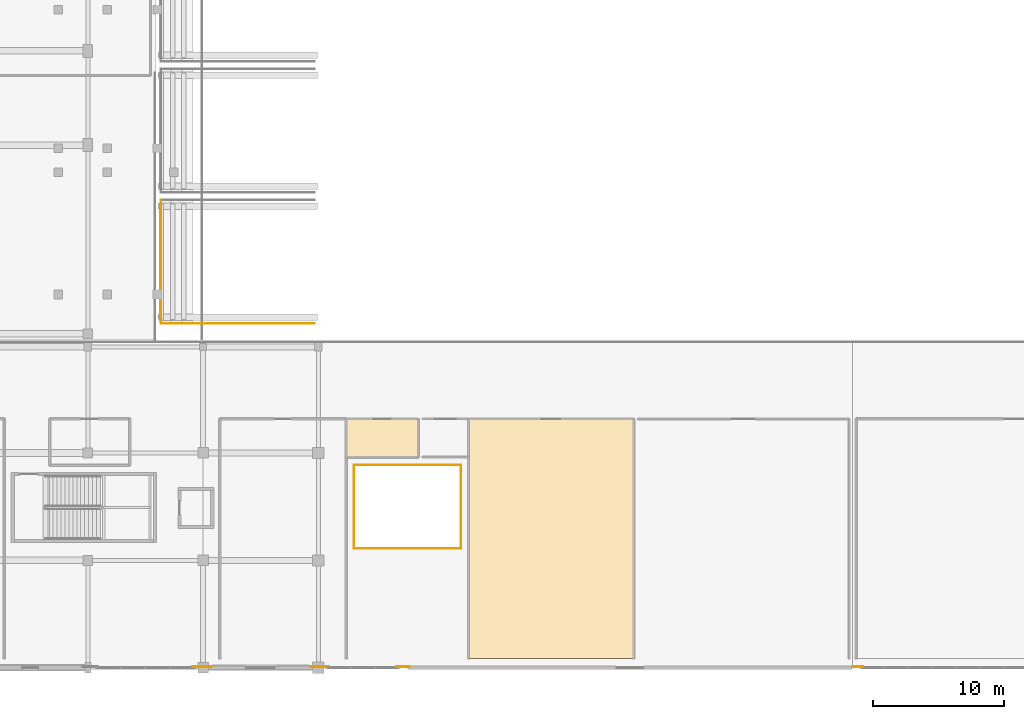
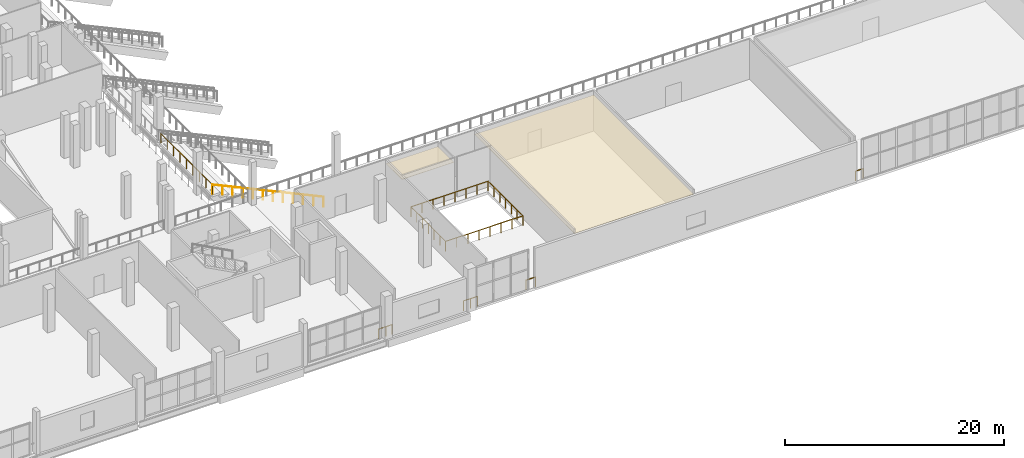
# One storey, part 100 of 129: 11 railings, 2 coverings.
"""IFC4 building model written with IfcOpenShell, lengths in metres."""

from ifc_helpers import new_model, si_unit, direction, frame, origin, origin_2d, place, context, subcontext, project, spatial, polyline, circle, outline, extrude, material, layer, layer_set, type_object, element, save


model = new_model("IFC4")

# Units and contexts
model_context = context("Model", 3, precision=1e-05, world=origin(), true_north=direction((0.0, 1.0)))
body_context = subcontext(model_context, "Body", "Model", "MODEL_VIEW")
ifc_project = project(units=[si_unit("LENGTHUNIT", "METRE"), si_unit("AREAUNIT", "SQUARE_METRE"), si_unit("VOLUMEUNIT", "CUBIC_METRE"), si_unit("PLANEANGLEUNIT", "RADIAN"), si_unit("MASSUNIT", "GRAM", prefix="KILO")], contexts=[model_context])

# Site, building, storey
site_placement = place(None, origin())
site = spatial("IfcSite", under=ifc_project, at=site_placement, CompositionType="ELEMENT")
building_placement = place(site_placement, origin())
building = spatial("IfcBuilding", under=site, at=building_placement, Name="Koshinbarg Plaza Stadium", CompositionType="ELEMENT")
storey_placement = place(building_placement, frame((0.0, 0.0, 5.39990234375)))
storey = spatial("IfcBuildingStorey", under=building, at=storey_placement, Name="L01", CompositionType="ELEMENT", Elevation=5.39990234375)

# Coverings
ifc_material_1 = material(Name="Perforated gypsum acoustic ceiling board")
ifc_layer = layer(ifc_material_1, 0.030029296875)
ifc_layer_set = layer_set([ifc_layer], Name="Perforated gypsum acoustic ceiling board")
covering_type = type_object("IfcCoveringType", Name="COV-CEIL-01", PredefinedType="CEILING", material=ifc_layer_set)
covering_1_placement = place(storey_placement, frame((0.0, 0.0, 3.9501953125)))
element("IfcCovering", 1, at=covering_1_placement, inside=storey, type_object=covering_type, Name="L01 Television Interview Studio acoustic ceiling 013", PredefinedType="CEILING", context=body_context, shape_type="SweptSolid", body=[
    extrude(outline(polyline([(83.320068359375, 16.080078125), (88.8232421875, 16.080078125), (88.8232421875, 19.0), (83.320068359375, 19.0), (83.320068359375, 16.080078125)])), origin(), (0.0, 0.0, 1.0), 0.02978515625),
])
covering_2_placement = place(storey_placement, frame((0.0, 0.0, 3.9501953125)))
element("IfcCovering", 2, at=covering_2_placement, inside=storey, type_object=covering_type, Name="L01 Television Interview Studio acoustic ceiling 014", PredefinedType="CEILING", context=body_context, shape_type="SweptSolid", body=[
    extrude(outline(polyline([(92.679931640625, 0.699951171875), (105.276611328125, 0.699951171875), (105.276611328125, 19.0), (92.679931640625, 19.0), (92.679931640625, 0.699951171875)])), origin(), (0.0, 0.0, 1.0), 0.02978515625),
])

# Railings
ifc_material_2 = material(Name="Toughened laminated glass and stainless steel sightline balustrade", Category="steel")
railing_type_1 = type_object("IfcRailingType", Name="RL-BOWL-1100", PredefinedType="BALUSTRADE", material=ifc_material_2)
railing_1_placement = place(storey_placement, frame((83.919921875, 9.1201171875, 0.0)))
element("IfcRailing", 3, at=railing_1_placement, inside=storey, type_object=railing_type_1, Name="L01 atrium light-well balustrade 0039", PredefinedType="BALUSTRADE", context=body_context, shape_type="SweptSolid", body=[
    extrude(circle(Radius=0.02392578125, at=origin_2d()), frame((0.0, 0.0, 1.076171875), z_axis=(1.0, 0.0, 0.0), x_axis=(0.0, 1.0, 0.0)), (0.0, 0.0, 1.0), 8.16015625),
    extrude(circle(Radius=0.02099609375, at=origin_2d()), origin(), (0.0, 0.0, 1.0), 1.052001953125),
    extrude(circle(Radius=0.02099609375, at=origin_2d()), frame((1.165771484375, 0.0, 0.0)), (0.0, 0.0, 1.0), 1.052001953125),
    extrude(circle(Radius=0.02099609375, at=origin_2d()), frame((2.33154296875, 0.0, 0.0)), (0.0, 0.0, 1.0), 1.052001953125),
    extrude(circle(Radius=0.02099609375, at=origin_2d()), frame((3.497314453125, 0.0, 0.0)), (0.0, 0.0, 1.0), 1.052001953125),
    extrude(circle(Radius=0.02099609375, at=origin_2d()), frame((4.662841796875, 0.0, 0.0)), (0.0, 0.0, 1.0), 1.052001953125),
    extrude(circle(Radius=0.02099609375, at=origin_2d()), frame((5.82861328125, 0.0, 0.0)), (0.0, 0.0, 1.0), 1.052001953125),
    extrude(circle(Radius=0.02099609375, at=origin_2d()), frame((6.994384765625, 0.0, 0.0)), (0.0, 0.0, 1.0), 1.052001953125),
    extrude(circle(Radius=0.02099609375, at=origin_2d()), frame((8.16015625, 0.0, 0.0)), (0.0, 0.0, 1.0), 1.052001953125),
])
railing_2_placement = place(storey_placement, frame((92.080078125, 9.1201171875, 0.0)))
element("IfcRailing", 4, at=railing_2_placement, inside=storey, type_object=railing_type_1, Name="L01 atrium light-well balustrade 0040", PredefinedType="BALUSTRADE", context=body_context, shape_type="SweptSolid", body=[
    extrude(circle(Radius=0.02392578125, at=origin_2d()), frame((0.0, 0.0, 1.076171875), z_axis=(0.0, 1.0, 0.0), x_axis=(-1.0, 0.0, 0.0)), (0.0, 0.0, 1.0), 6.35986328125),
    extrude(circle(Radius=0.02099609375, at=origin_2d()), origin(), (0.0, 0.0, 1.0), 1.052001953125),
    extrude(circle(Radius=0.02099609375, at=origin_2d()), frame((0.0, 1.06005859375, 0.0)), (0.0, 0.0, 1.0), 1.052001953125),
    extrude(circle(Radius=0.02099609375, at=origin_2d()), frame((0.0, 2.119873046875, 0.0)), (0.0, 0.0, 1.0), 1.052001953125),
    extrude(circle(Radius=0.02099609375, at=origin_2d()), frame((0.0, 3.179931640625, 0.0)), (0.0, 0.0, 1.0), 1.052001953125),
    extrude(circle(Radius=0.02099609375, at=origin_2d()), frame((0.0, 4.239990234375, 0.0)), (0.0, 0.0, 1.0), 1.052001953125),
    extrude(circle(Radius=0.02099609375, at=origin_2d()), frame((0.0, 5.2998046875, 0.0)), (0.0, 0.0, 1.0), 1.052001953125),
    extrude(circle(Radius=0.02099609375, at=origin_2d()), frame((0.0, 6.35986328125, 0.0)), (0.0, 0.0, 1.0), 1.052001953125),
])
railing_3_placement = place(storey_placement, frame((92.080078125, 15.47998046875, 0.0)))
element("IfcRailing", 5, at=railing_3_placement, inside=storey, type_object=railing_type_1, Name="L01 atrium light-well balustrade 0041", PredefinedType="BALUSTRADE", context=body_context, shape_type="SweptSolid", body=[
    extrude(circle(Radius=0.02392578125, at=origin_2d()), frame((0.0, 0.0, 1.076171875), z_axis=(-1.0, 0.0, 0.0), x_axis=(0.0, -1.0, 0.0)), (0.0, 0.0, 1.0), 8.16015625),
    extrude(circle(Radius=0.02099609375, at=origin_2d()), origin(), (0.0, 0.0, 1.0), 1.052001953125),
    extrude(circle(Radius=0.02099609375, at=origin_2d()), frame((-1.165771484375, 0.0, 0.0)), (0.0, 0.0, 1.0), 1.052001953125),
    extrude(circle(Radius=0.02099609375, at=origin_2d()), frame((-2.33154296875, 0.0, 0.0)), (0.0, 0.0, 1.0), 1.052001953125),
    extrude(circle(Radius=0.02099609375, at=origin_2d()), frame((-3.497314453125, 0.0, 0.0)), (0.0, 0.0, 1.0), 1.052001953125),
    extrude(circle(Radius=0.02099609375, at=origin_2d()), frame((-4.662841796875, 0.0, 0.0)), (0.0, 0.0, 1.0), 1.052001953125),
    extrude(circle(Radius=0.02099609375, at=origin_2d()), frame((-5.82861328125, 0.0, 0.0)), (0.0, 0.0, 1.0), 1.052001953125),
    extrude(circle(Radius=0.02099609375, at=origin_2d()), frame((-6.994384765625, 0.0, 0.0)), (0.0, 0.0, 1.0), 1.052001953125),
    extrude(circle(Radius=0.02099609375, at=origin_2d()), frame((-8.16015625, 0.0, 0.0)), (0.0, 0.0, 1.0), 1.052001953125),
])
railing_4_placement = place(storey_placement, frame((83.919921875, 15.47998046875, 0.0)))
element("IfcRailing", 6, at=railing_4_placement, inside=storey, type_object=railing_type_1, Name="L01 atrium light-well balustrade 0042", PredefinedType="BALUSTRADE", context=body_context, shape_type="SweptSolid", body=[
    extrude(circle(Radius=0.02392578125, at=origin_2d()), frame((0.0, 0.0, 1.076171875), z_axis=(0.0, -1.0, 0.0), x_axis=(1.0, 0.0, 0.0)), (0.0, 0.0, 1.0), 6.35986328125),
    extrude(circle(Radius=0.02099609375, at=origin_2d()), origin(), (0.0, 0.0, 1.0), 1.052001953125),
    extrude(circle(Radius=0.02099609375, at=origin_2d()), frame((0.0, -1.06005859375, 0.0)), (0.0, 0.0, 1.0), 1.052001953125),
    extrude(circle(Radius=0.02099609375, at=origin_2d()), frame((0.0, -2.119873046875, 0.0)), (0.0, 0.0, 1.0), 1.052001953125),
    extrude(circle(Radius=0.02099609375, at=origin_2d()), frame((0.0, -3.179931640625, 0.0)), (0.0, 0.0, 1.0), 1.052001953125),
    extrude(circle(Radius=0.02099609375, at=origin_2d()), frame((0.0, -4.239990234375, 0.0)), (0.0, 0.0, 1.0), 1.052001953125),
    extrude(circle(Radius=0.02099609375, at=origin_2d()), frame((0.0, -5.2998046875, 0.0)), (0.0, 0.0, 1.0), 1.052001953125),
    extrude(circle(Radius=0.02099609375, at=origin_2d()), frame((0.0, -6.35986328125, 0.0)), (0.0, 0.0, 1.0), 1.052001953125),
])
railing_5_placement = place(storey_placement, frame((72.39990234375, 0.080078125, 0.0)))
element("IfcRailing", 7, at=railing_5_placement, inside=storey, type_object=railing_type_1, Name="L01 deck edge safety balustrade 0062", PredefinedType="BALUSTRADE", context=body_context, shape_type="SweptSolid", body=[
    extrude(circle(Radius=0.02392578125, at=origin_2d()), frame((0.0, 0.0, 1.076171875), z_axis=(-1.0, 0.0, 0.0), x_axis=(0.0, -1.0, 0.0)), (0.0, 0.0, 1.0), 0.79931640625),
    extrude(circle(Radius=0.02099609375, at=origin_2d()), origin(), (0.0, 0.0, 1.0), 1.052001953125),
    extrude(circle(Radius=0.02099609375, at=origin_2d()), frame((-0.79931640625, 0.0, 0.0)), (0.0, 0.0, 1.0), 1.052001953125),
])
railing_6_placement = place(storey_placement, frame((88.184326171875, 0.080078125, 0.0)))
element("IfcRailing", 8, at=railing_6_placement, inside=storey, type_object=railing_type_1, Name="L01 deck edge safety balustrade 0068", PredefinedType="BALUSTRADE", context=body_context, shape_type="SweptSolid", body=[
    extrude(circle(Radius=0.02392578125, at=origin_2d()), frame((0.0, 0.0, 1.076171875), z_axis=(-1.0, 0.0, 0.0), x_axis=(0.0, -1.0, 0.0)), (0.0, 0.0, 1.0), 0.99951171875),
    extrude(circle(Radius=0.02099609375, at=origin_2d()), origin(), (0.0, 0.0, 1.0), 1.052001953125),
    extrude(circle(Radius=0.02099609375, at=origin_2d()), frame((-0.99951171875, 0.0, 0.0)), (0.0, 0.0, 1.0), 1.052001953125),
])
railing_7_placement = place(storey_placement, frame((82.04052734375, 0.080078125, 0.0)))
element("IfcRailing", 9, at=railing_7_placement, inside=storey, type_object=railing_type_1, Name="L01 deck edge safety balustrade 0069", PredefinedType="BALUSTRADE", context=body_context, shape_type="SweptSolid", body=[
    extrude(circle(Radius=0.02392578125, at=origin_2d()), frame((0.0, 0.0, 1.076171875), z_axis=(-1.0, 0.0, 0.0), x_axis=(0.0, -1.0, 0.0)), (0.0, 0.0, 1.0), 1.448974609375),
    extrude(circle(Radius=0.02099609375, at=origin_2d()), origin(), (0.0, 0.0, 1.0), 1.052001953125),
    extrude(circle(Radius=0.02099609375, at=origin_2d()), frame((-0.724609375, 0.0, 0.0)), (0.0, 0.0, 1.0), 1.052001953125),
    extrude(circle(Radius=0.02099609375, at=origin_2d()), frame((-1.448974609375, 0.0, 0.0)), (0.0, 0.0, 1.0), 1.052001953125),
])
railing_8_placement = place(storey_placement, frame((73.049560546875, 0.080078125, 0.0)))
element("IfcRailing", 10, at=railing_8_placement, inside=storey, type_object=railing_type_1, Name="L01 deck edge safety balustrade 0070", PredefinedType="BALUSTRADE", context=body_context, shape_type="SweptSolid", body=[
    extrude(circle(Radius=0.02392578125, at=origin_2d()), frame((0.0, 0.0, 1.076171875), z_axis=(-1.0, 0.0, 0.0), x_axis=(0.0, -1.0, 0.0)), (0.0, 0.0, 1.0), 0.649658203125),
    extrude(circle(Radius=0.02099609375, at=origin_2d()), origin(), (0.0, 0.0, 1.0), 1.052001953125),
    extrude(circle(Radius=0.02099609375, at=origin_2d()), frame((-0.649658203125, 0.0, 0.0)), (0.0, 0.0, 1.0), 1.052001953125),
])
railing_9_placement = place(storey_placement, frame((122.79931640625, 0.080078125, 0.0)))
element("IfcRailing", 11, at=railing_9_placement, inside=storey, type_object=railing_type_1, Name="L01 deck edge safety balustrade 0074", PredefinedType="BALUSTRADE", context=body_context, shape_type="SweptSolid", body=[
    extrude(circle(Radius=0.02392578125, at=origin_2d()), frame((0.0, 0.0, 1.076171875), z_axis=(-1.0, 0.0, 0.0), x_axis=(0.0, -1.0, 0.0)), (0.0, 0.0, 1.0), 0.79931640625),
    extrude(circle(Radius=0.02099609375, at=origin_2d()), origin(), (0.0, 0.0, 1.0), 1.052001953125),
    extrude(circle(Radius=0.02099609375, at=origin_2d()), frame((-0.79931640625, 0.0, 0.0)), (0.0, 0.0, 1.0), 1.052001953125),
])
ifc_material_3 = material(Name="Galvanized painted steel guardrail", Category="steel")
railing_type_2 = type_object("IfcRailingType", Name="RL-GUARD-1100", PredefinedType="GUARDRAIL", material=ifc_material_3)
railing_10_placement = place(storey_placement, frame((69.179931640625, 26.280029296875, 1.080078125)))
element("IfcRailing", 12, at=railing_10_placement, inside=storey, type_object=railing_type_2, Name="LT-W01 rear stand guard", PredefinedType="GUARDRAIL", context=body_context, shape_type="SweptSolid", body=[
    extrude(circle(Radius=0.02392578125, at=origin_2d()), frame((0.0, 0.0, 1.076171875), z_axis=(0.0, 1.0, 0.0), x_axis=(-1.0, 0.0, 0.0)), (0.0, 0.0, 1.0), 9.43994140625),
    extrude(circle(Radius=0.02099609375, at=origin_2d()), origin(), (0.0, 0.0, 1.0), 1.052001953125),
    extrude(circle(Radius=0.02099609375, at=origin_2d()), frame((0.0, 1.179931640625, 0.0)), (0.0, 0.0, 1.0), 1.052001953125),
    extrude(circle(Radius=0.02099609375, at=origin_2d()), frame((0.0, 2.35986328125, 0.0)), (0.0, 0.0, 1.0), 1.052001953125),
    extrude(circle(Radius=0.02099609375, at=origin_2d()), frame((0.0, 3.5400390625, 0.0)), (0.0, 0.0, 1.0), 1.052001953125),
    extrude(circle(Radius=0.02099609375, at=origin_2d()), frame((0.0, 4.719970703125, 0.0)), (0.0, 0.0, 1.0), 1.052001953125),
    extrude(circle(Radius=0.02099609375, at=origin_2d()), frame((0.0, 5.89990234375, 0.0)), (0.0, 0.0, 1.0), 1.052001953125),
    extrude(circle(Radius=0.02099609375, at=origin_2d()), frame((0.0, 7.080078125, 0.0)), (0.0, 0.0, 1.0), 1.052001953125),
    extrude(circle(Radius=0.02099609375, at=origin_2d()), frame((0.0, 8.260009765625, 0.0)), (0.0, 0.0, 1.0), 1.052001953125),
    extrude(circle(Radius=0.02099609375, at=origin_2d()), frame((0.0, 9.43994140625, 0.0)), (0.0, 0.0, 1.0), 1.052001953125),
])
railing_11_placement = place(storey_placement, frame((80.89990234375, 26.280029296875, -4.3798828125)))
element("IfcRailing", 13, at=railing_11_placement, inside=storey, type_object=railing_type_2, Name="LT-W01 stepped aisle guard L", PredefinedType="GUARDRAIL", context=body_context, shape_type="SweptSolid", body=[
    extrude(circle(Radius=0.02392578125, at=origin_2d()), frame((0.0, 0.0, 1.076171875), z_axis=(-0.906183623075, 0.0, 0.422884430158), x_axis=(0.0, -1.0, 0.0)), (0.0, 0.0, 1.0), 12.9111328125),
    extrude(circle(Radius=0.02099609375, at=origin_2d()), origin(), (0.0, 0.0, 1.0), 1.052001953125),
    extrude(circle(Radius=0.02099609375, at=origin_2d()), frame((-1.063720703125, 0.0, 0.496337890625)), (0.0, 0.0, 1.0), 1.052001953125),
    extrude(circle(Radius=0.02099609375, at=origin_2d()), frame((-2.127197265625, 0.0, 0.99267578125)), (0.0, 0.0, 1.0), 1.052001953125),
    extrude(circle(Radius=0.02099609375, at=origin_2d()), frame((-3.19091796875, 0.0, 1.489013671875)), (0.0, 0.0, 1.0), 1.052001953125),
    extrude(circle(Radius=0.02099609375, at=origin_2d()), frame((-4.254638671875, 0.0, 1.9853515625)), (0.0, 0.0, 1.0), 1.052001953125),
    extrude(circle(Radius=0.02099609375, at=origin_2d()), frame((-5.318115234375, 0.0, 2.481689453125)), (0.0, 0.0, 1.0), 1.052001953125),
    extrude(circle(Radius=0.02099609375, at=origin_2d()), frame((-6.3818359375, 0.0, 2.978271484375)), (0.0, 0.0, 1.0), 1.052001953125),
    extrude(circle(Radius=0.02099609375, at=origin_2d()), frame((-7.4453125, 0.0, 3.474609375)), (0.0, 0.0, 1.0), 1.052001953125),
    extrude(circle(Radius=0.02099609375, at=origin_2d()), frame((-8.509033203125, 0.0, 3.970947265625)), (0.0, 0.0, 1.0), 1.052001953125),
    extrude(circle(Radius=0.02099609375, at=origin_2d()), frame((-9.57275390625, 0.0, 4.46728515625)), (0.0, 0.0, 1.0), 1.052001953125),
    extrude(circle(Radius=0.02099609375, at=origin_2d()), frame((-10.63623046875, 0.0, 4.963623046875)), (0.0, 0.0, 1.0), 1.052001953125),
    extrude(circle(Radius=0.02099609375, at=origin_2d()), frame((-11.699951171875, 0.0, 5.4599609375)), (0.0, 0.0, 1.0), 1.052001953125),
])

save(model, "model.ifc")
